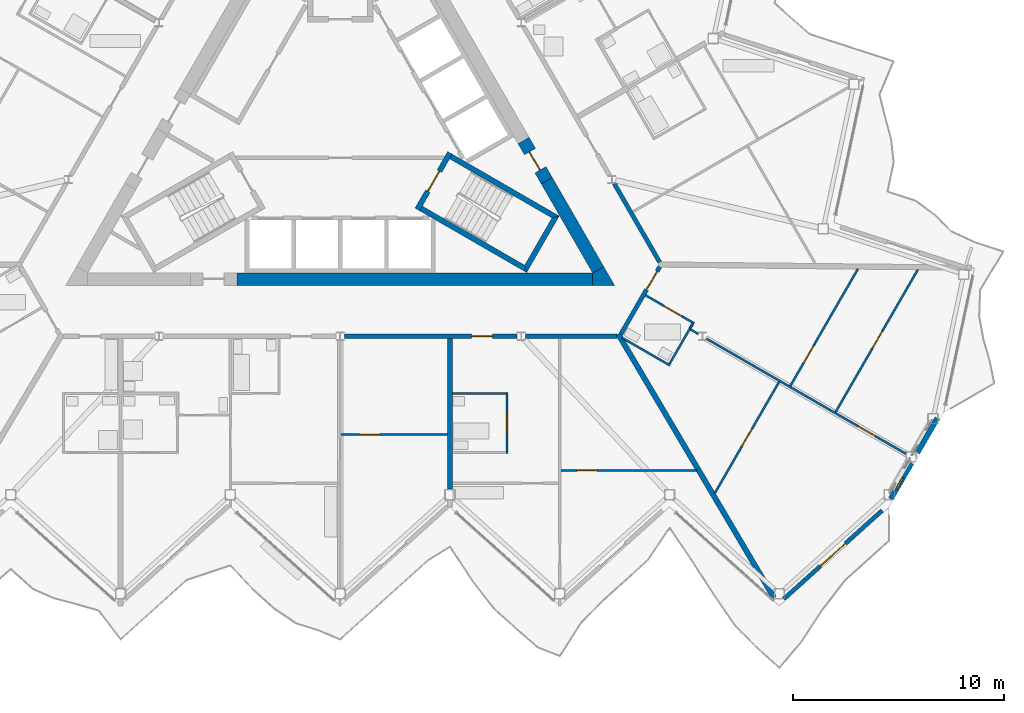
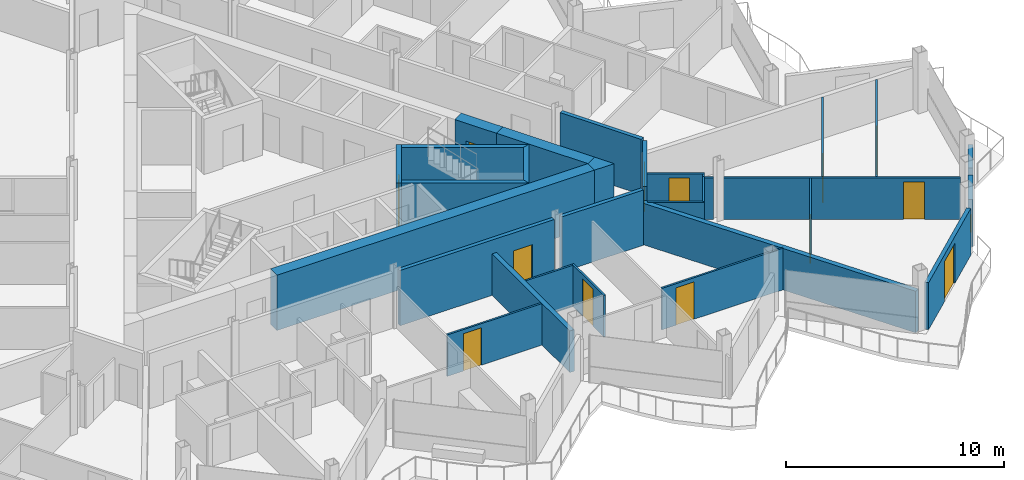
# One storey, part 15 of 26: 30 walls, 13 doors, 1 window, 14 openings.
"""IFC4 building model written with IfcOpenShell, lengths in metres."""

from ifc_helpers import new_model, si_unit, direction, frame, frame_2d, origin, place, context, subcontext, project, spatial, polyline, rectangle, outline, extrude, material, layer, layer_set, type_object, element, fill, save


model = new_model("IFC4")

# Units and contexts
model_context = context("Model", 3, precision=1e-05, world=origin(), true_north=direction((0.0, 1.0)))
body_context = subcontext(model_context, "Body", "Model", "MODEL_VIEW")
ifc_project = project(units=[si_unit("LENGTHUNIT", "METRE"), si_unit("AREAUNIT", "SQUARE_METRE"), si_unit("VOLUMEUNIT", "CUBIC_METRE"), si_unit("PLANEANGLEUNIT", "RADIAN"), si_unit("MASSUNIT", "GRAM", prefix="KILO")], contexts=[model_context])

# Site, building, storey
site_placement = place(None, origin())
site = spatial("IfcSite", under=ifc_project, at=site_placement, CompositionType="ELEMENT")
building_placement = place(site_placement, origin())
building = spatial("IfcBuilding", under=site, at=building_placement, Name="Cormorant Prow Tower", CompositionType="ELEMENT")
storey_placement = place(building_placement, frame((0.0, 0.0, 371.199951171875)))
storey = spatial("IfcBuildingStorey", under=building, at=storey_placement, Name="L83", CompositionType="ELEMENT", Elevation=371.199951171875)

# Walls
ifc_material_1 = material(Name="Concrete 8000 psi", Category="concrete")
ifc_layer_1 = layer(ifc_material_1, 0.60009765625)
ifc_layer_set_1 = layer_set([ifc_layer_1], Name="Concrete 8000 psi")
wall_type_1 = type_object("IfcWallType", Name="Core shear wall 600", PredefinedType="SHEAR", material=ifc_layer_set_1)
wall_1_placement = place(storey_placement, frame((-4.89208984375, -7.20556640625, 0.0), z_axis=(0.0, 0.0, 1.0), x_axis=(1.0, 0.0, 0.0)))
element("IfcWall", 1, at=wall_1_placement, inside=storey, type_object=wall_type_1, Name="Core wall", PredefinedType="SHEAR", context=body_context, shape_type="SweptSolid", body=[
    extrude(rectangle(XDim=16.852783203125, YDim=0.60009765625, at=frame_2d((8.42626953125, 0.0))), origin(), (0.0, 0.0, 1.0), 3.10009765625),
])
wall_2_placement = place(storey_placement, frame((12.220703125, -6.755615234375, 0.0), z_axis=(0.0, 0.0, 1.0), x_axis=(-0.50000604952, 0.866021911064, 0.0)))
element("IfcWall", 2, at=wall_2_placement, inside=storey, type_object=wall_type_1, Name="Core wall", PredefinedType="SHEAR", context=body_context, shape_type="SweptSolid", body=[
    extrude(rectangle(XDim=4.86865234375, YDim=0.60009765625, at=frame_2d((2.434326171875, 0.0))), origin(), (0.0, 0.0, 1.0), 3.10009765625),
])
wall_3_placement = place(storey_placement, origin())
element("IfcWall", 3, at=wall_3_placement, inside=storey, type_object=wall_type_1, Name="Core wall corner", PredefinedType="SHEAR", context=body_context, shape_type="SweptSolid", body=[
    extrude(outline(polyline([(11.960693359375, -7.505615234375), (11.960693359375, -6.905517578125), (12.48046875, -6.605712890625), (13.0, -7.505615234375), (11.960693359375, -7.505615234375)])), origin(), (0.0, 0.0, 1.0), 3.10009765625),
])

# Wall, opening, door
wall_4_placement = place(storey_placement, frame((9.786376953125, -2.539306640625, 0.0), z_axis=(0.0, 0.0, 1.0), x_axis=(-0.499981787252, 0.866035918664, 0.0)))
wall_4 = element("IfcWall", 4, at=wall_4_placement, inside=storey, type_object=wall_type_1, Name="Core wall door panel", PredefinedType="SHEAR", context=body_context, shape_type="SweptSolid", body=[
    extrude(rectangle(XDim=2.2001953125, YDim=0.60009765625, at=frame_2d((1.10009765625, 0.0))), origin(), (0.0, 0.0, 1.0), 3.10009765625),
])
opening_1_placement = place(wall_4_placement, frame((0.60009765625, 0.0, 0.0)))
opening_1 = element("IfcOpeningElement", 5, at=opening_1_placement, cuts=wall_4, Name="Opening L83-C15", PredefinedType="OPENING", context=body_context, shape_type="SweptSolid", body=[
    extrude(rectangle(XDim=1.0, YDim=2.10009765625, at=frame_2d((0.5, 1.050048828125))), frame((0.0, 0.31005859375, 0.0), z_axis=(0.0, -1.0, 0.0), x_axis=(1.0, 0.0, 0.0)), (0.0, 0.0, 1.0), 0.6201171875),
])
ifc_material_2 = material(Name="Painted steel", Category="steel")
door_type_1 = type_object("IfcDoorType", Name="Service door 1000x2100", OperationType="NOTDEFINED", PredefinedType="DOOR", material=ifc_material_2)
door_1_placement = place(opening_1_placement, origin())
door_1 = element("IfcDoor", 6, at=door_1_placement, inside=storey, type_object=door_type_1, Name="Core door, Electrical room", OperationType="SINGLE_SWING_LEFT", OverallHeight=2.10009765625, OverallWidth=1.0, PredefinedType="DOOR", context=body_context, shape_type="SweptSolid", body=[
    extrude(rectangle(XDim=1.0, YDim=2.10009765625, at=frame_2d((0.5, 1.050048828125))), frame((0.0, 0.05517578125, 0.0), z_axis=(0.0, -1.0, 0.0), x_axis=(1.0, 0.0, 0.0)), (0.0, 0.0, 1.0), 0.050048828125),
])
fill(opening_1, door_1)

ifc_material_3 = material(Name="Gypsum board corridor wall")
ifc_layer_2 = layer(ifc_material_3, 0.199951171875)
ifc_layer_set_2 = layer_set([ifc_layer_2], Name="Gypsum board corridor wall")
wall_type_2 = type_object("IfcWallType", Name="Corridor wall 200", PredefinedType="PARTITIONING", material=ifc_layer_set_2)
wall_5_placement = place(storey_placement, frame((0.197021484375, -9.905517578125, 0.0), z_axis=(0.0, 0.0, 1.0), x_axis=(1.0, 0.0, 0.0)))
wall_5 = element("IfcWall", 7, at=wall_5_placement, inside=storey, type_object=wall_type_2, Name="Corridor wall", PredefinedType="PARTITIONING", context=body_context, shape_type="SweptSolid", body=[
    extrude(rectangle(XDim=8.1845703125, YDim=0.199951171875, at=frame_2d((4.09228515625, 0.0))), origin(), (0.0, 0.0, 1.0), 3.10009765625),
])
opening_2_placement = place(wall_5_placement, frame((6.02294921875, 0.0, 0.0)))
opening_2 = element("IfcOpeningElement", 8, at=opening_2_placement, cuts=wall_5, Name="Opening L83-F11", PredefinedType="OPENING", context=body_context, shape_type="SweptSolid", body=[
    extrude(rectangle(XDim=1.0, YDim=2.10009765625, at=frame_2d((0.5, 1.050048828125))), frame((0.0, 0.10986328125, 0.0), z_axis=(0.0, -1.0, 0.0), x_axis=(1.0, 0.0, 0.0)), (0.0, 0.0, 1.0), 0.219970703125),
])
ifc_material_4 = material(Name="Timber door leaf", Category="wood")
door_type_2 = type_object("IfcDoorType", Name="Flat or room entrance door 1000x2100", OperationType="NOTDEFINED", PredefinedType="DOOR", material=ifc_material_4)
door_2_placement = place(opening_2_placement, origin())
door_2 = element("IfcDoor", 9, at=door_2_placement, inside=storey, type_object=door_type_2, Name="Living room door", OperationType="SINGLE_SWING_LEFT", OverallHeight=2.10009765625, OverallWidth=1.0, PredefinedType="DOOR", context=body_context, shape_type="SweptSolid", body=[
    extrude(rectangle(XDim=1.0, YDim=2.10009765625, at=frame_2d((0.5, 1.050048828125))), frame((0.0, 0.02490234375, 0.0), z_axis=(0.0, -1.0, 0.0), x_axis=(1.0, 0.0, 0.0)), (0.0, 0.0, 1.0), 0.050048828125),
])
fill(opening_2, door_2)

# Walls
wall_6_placement = place(storey_placement, frame((8.775390625, -9.905517578125, 0.0), z_axis=(0.0, 0.0, 1.0), x_axis=(1.0, 0.0, 0.0)))
element("IfcWall", 10, at=wall_6_placement, inside=storey, type_object=wall_type_2, Name="Corridor wall", PredefinedType="PARTITIONING", context=body_context, shape_type="SweptSolid", body=[
    extrude(rectangle(XDim=4.33056640625, YDim=0.199951171875, at=frame_2d((2.165283203125, 0.0))), origin(), (0.0, 0.0, 1.0), 3.10009765625),
])
wall_7_placement = place(storey_placement, frame((12.9814453125, -2.67333984375, 0.0), z_axis=(0.0, 0.0, 1.0), x_axis=(0.499986217557, -0.866033360935, 0.0)))
element("IfcWall", 11, at=wall_7_placement, inside=storey, type_object=wall_type_2, Name="Corridor wall", PredefinedType="PARTITIONING", context=body_context, shape_type="SweptSolid", body=[
    extrude(rectangle(XDim=4.2998046875, YDim=0.199951171875, at=frame_2d((2.14990234375, 0.0))), origin(), (0.0, 0.0, 1.0), 3.10009765625),
])

# Wall, opening, door
wall_8_placement = place(storey_placement, frame((13.29345703125, -9.79736328125, 0.0), z_axis=(0.0, 0.0, 1.0), x_axis=(0.499967746641, 0.866044024469, 0.0)))
wall_8 = element("IfcWall", 12, at=wall_8_placement, inside=storey, type_object=wall_type_2, Name="Corridor wall", PredefinedType="PARTITIONING", context=body_context, shape_type="SweptSolid", body=[
    extrude(rectangle(XDim=3.676025390625, YDim=0.199951171875, at=frame_2d((1.837890625, 0.0))), origin(), (0.0, 0.0, 1.0), 3.10009765625),
])
opening_3_placement = place(wall_8_placement, frame((2.426025390625, 0.0, 0.0)))
opening_3 = element("IfcOpeningElement", 13, at=opening_3_placement, cuts=wall_8, Name="Opening L83-F16", PredefinedType="OPENING", context=body_context, shape_type="SweptSolid", body=[
    extrude(rectangle(XDim=1.0, YDim=2.10009765625, at=frame_2d((0.5, 1.050048828125))), frame((0.0, 0.10986328125, 0.0), z_axis=(0.0, -1.0, 0.0), x_axis=(1.0, 0.0, 0.0)), (0.0, 0.0, 1.0), 0.219970703125),
])
door_3_placement = place(opening_3_placement, origin())
door_3 = element("IfcDoor", 14, at=door_3_placement, inside=storey, type_object=door_type_2, Name="Living room door", OperationType="SINGLE_SWING_RIGHT", OverallHeight=2.10009765625, OverallWidth=1.0, PredefinedType="DOOR", context=body_context, shape_type="SweptSolid", body=[
    extrude(rectangle(XDim=1.0, YDim=2.10009765625, at=frame_2d((0.5, 1.050048828125))), frame((0.0, 0.02490234375, 0.0), z_axis=(0.0, -1.0, 0.0), x_axis=(1.0, 0.0, 0.0)), (0.0, 0.0, 1.0), 0.050048828125),
])
fill(opening_3, door_3)

ifc_material_5 = material(Name="Gypsum board partition")
ifc_layer_3 = layer(ifc_material_5, 0.10009765625)
ifc_layer_set_3 = layer_set([ifc_layer_3], Name="Gypsum board partition")
wall_type_3 = type_object("IfcWallType", Name="Internal partition 100", PredefinedType="PARTITIONING", material=ifc_layer_set_3)
wall_9_placement = place(storey_placement, frame((17.35400390625, -10.019287109375, 0.0), z_axis=(0.0, 0.0, 1.0), x_axis=(0.866019680922, -0.500009912158, 0.0)))
wall_9 = element("IfcWall", 15, at=wall_9_placement, inside=storey, type_object=wall_type_3, Name="Internal partition", PredefinedType="PARTITIONING", context=body_context, shape_type="SweptSolid", body=[
    extrude(rectangle(XDim=10.880615234375, YDim=0.10009765625, at=frame_2d((5.4404296875, 0.0))), origin(), (0.0, 0.0, 1.0), 2.330078125),
])
opening_4_placement = place(wall_9_placement, frame((8.276123046875, 0.0, 0.0)))
opening_4 = element("IfcOpeningElement", 16, at=opening_4_placement, cuts=wall_9, Name="Opening L83-F20", PredefinedType="OPENING", context=body_context, shape_type="SweptSolid", body=[
    extrude(rectangle(XDim=0.949951171875, YDim=2.10009765625, at=frame_2d((0.47509765625, 1.050048828125))), frame((0.0, 0.06005859375, 0.0), z_axis=(0.0, -1.0, 0.0), x_axis=(1.0, 0.0, 0.0)), (0.0, 0.0, 1.0), 0.1201171875),
])
ifc_material_6 = material(Name="Timber door leaf", Category="wood")
door_type_3 = type_object("IfcDoorType", Name="Bathroom door 950x2100", OperationType="NOTDEFINED", PredefinedType="DOOR", material=ifc_material_6)
door_4_placement = place(opening_4_placement, origin())
door_4 = element("IfcDoor", 17, at=door_4_placement, inside=storey, type_object=door_type_3, Name="Dining room door", OperationType="SINGLE_SWING_RIGHT", OverallHeight=2.10009765625, OverallWidth=0.949951171875, PredefinedType="DOOR", context=body_context, shape_type="SweptSolid", body=[
    extrude(rectangle(XDim=0.949951171875, YDim=2.10009765625, at=frame_2d((0.47509765625, 1.050048828125))), frame((0.0, 0.02490234375, 0.0), z_axis=(0.0, -1.0, 0.0), x_axis=(1.0, 0.0, 0.0)), (0.0, 0.0, 1.0), 0.050048828125),
])
fill(opening_4, door_4)

wall_10_placement = place(storey_placement, frame((23.462646484375, -13.48828125, 0.0), z_axis=(0.0, 0.0, 1.0), x_axis=(0.500012519194, 0.866018175704, 0.0)))
wall_10 = element("IfcWall", 18, at=wall_10_placement, inside=storey, type_object=wall_type_3, Name="Internal partition", PredefinedType="PARTITIONING", context=body_context, shape_type="SweptSolid", body=[
    extrude(rectangle(XDim=7.795654296875, YDim=0.10009765625, at=frame_2d((3.89794921875, 0.0))), origin(), (0.0, 0.0, 1.0), 2.330078125),
])
opening_5_placement = place(wall_10_placement, frame((3.47314453125, 0.0, 0.0)))
opening_5 = element("IfcOpeningElement", 19, at=opening_5_placement, cuts=wall_10, Name="Opening L83-F19", PredefinedType="OPENING", context=body_context, shape_type="SweptSolid", body=[
    extrude(rectangle(XDim=0.949951171875, YDim=2.10009765625, at=frame_2d((0.47509765625, 1.050048828125))), frame((0.0, 0.06005859375, 0.0), z_axis=(0.0, -1.0, 0.0), x_axis=(1.0, 0.0, 0.0)), (0.0, 0.0, 1.0), 0.1201171875),
])
door_5_placement = place(opening_5_placement, origin())
door_5 = element("IfcDoor", 20, at=door_5_placement, inside=storey, type_object=door_type_3, Name="Kitchen door", OperationType="SINGLE_SWING_LEFT", OverallHeight=2.10009765625, OverallWidth=0.949951171875, PredefinedType="DOOR", context=body_context, shape_type="SweptSolid", body=[
    extrude(rectangle(XDim=0.949951171875, YDim=2.10009765625, at=frame_2d((0.47509765625, 1.050048828125))), frame((0.0, 0.02490234375, 0.0), z_axis=(0.0, -1.0, 0.0), x_axis=(1.0, 0.0, 0.0)), (0.0, 0.0, 1.0), 0.050048828125),
])
fill(opening_5, door_5)

wall_11_placement = place(storey_placement, frame((21.3193359375, -12.2509765625, 0.0), z_axis=(0.0, 0.0, 1.0), x_axis=(0.499999833739, 0.866025499775, 0.0)))
wall_11 = element("IfcWall", 21, at=wall_11_placement, inside=storey, type_object=wall_type_3, Name="Internal partition", PredefinedType="PARTITIONING", context=body_context, shape_type="SweptSolid", body=[
    extrude(rectangle(XDim=6.39990234375, YDim=0.10009765625, at=frame_2d((3.199951171875, 0.0))), origin(), (0.0, 0.0, 1.0), 2.330078125),
])
opening_6_placement = place(wall_11_placement, frame((1.26025390625, 0.0, 0.0)))
opening_6 = element("IfcOpeningElement", 22, at=opening_6_placement, cuts=wall_11, Name="Opening L83-F18", PredefinedType="OPENING", context=body_context, shape_type="SweptSolid", body=[
    extrude(rectangle(XDim=0.949951171875, YDim=2.10009765625, at=frame_2d((0.47509765625, 1.050048828125))), frame((0.0, 0.06005859375, 0.0), z_axis=(0.0, -1.0, 0.0), x_axis=(1.0, 0.0, 0.0)), (0.0, 0.0, 1.0), 0.1201171875),
])
door_6_placement = place(opening_6_placement, origin())
door_6 = element("IfcDoor", 23, at=door_6_placement, inside=storey, type_object=door_type_3, Name="Living room door", OperationType="SINGLE_SWING_LEFT", OverallHeight=2.10009765625, OverallWidth=0.949951171875, PredefinedType="DOOR", context=body_context, shape_type="SweptSolid", body=[
    extrude(rectangle(XDim=0.949951171875, YDim=2.10009765625, at=frame_2d((0.47509765625, 1.050048828125))), frame((0.0, 0.02490234375, 0.0), z_axis=(0.0, -1.0, 0.0), x_axis=(1.0, 0.0, 0.0)), (0.0, 0.0, 1.0), 0.050048828125),
])
fill(opening_6, door_6)

wall_12_placement = place(storey_placement, frame((10.449951171875, -16.254638671875, 0.0), z_axis=(0.0, 0.0, 1.0), x_axis=(1.0, 0.0, 0.0)))
wall_12 = element("IfcWall", 24, at=wall_12_placement, inside=storey, type_object=wall_type_3, Name="Internal partition", PredefinedType="PARTITIONING", context=body_context, shape_type="SweptSolid", body=[
    extrude(rectangle(XDim=6.446533203125, YDim=0.10009765625, at=frame_2d((3.22314453125, 0.0))), origin(), (0.0, 0.0, 1.0), 2.330078125),
])
opening_7_placement = place(wall_12_placement, frame((0.759765625, 0.0, 0.0)))
opening_7 = element("IfcOpeningElement", 25, at=opening_7_placement, cuts=wall_12, Name="Opening L83-F15", PredefinedType="OPENING", context=body_context, shape_type="SweptSolid", body=[
    extrude(rectangle(XDim=0.949951171875, YDim=2.10009765625, at=frame_2d((0.47509765625, 1.050048828125))), frame((0.0, 0.06005859375, 0.0), z_axis=(0.0, -1.0, 0.0), x_axis=(1.0, 0.0, 0.0)), (0.0, 0.0, 1.0), 0.1201171875),
])
door_7_placement = place(opening_7_placement, origin())
door_7 = element("IfcDoor", 26, at=door_7_placement, inside=storey, type_object=door_type_3, Name="Bedroom door", OperationType="SINGLE_SWING_LEFT", OverallHeight=2.10009765625, OverallWidth=0.949951171875, PredefinedType="DOOR", context=body_context, shape_type="SweptSolid", body=[
    extrude(rectangle(XDim=0.949951171875, YDim=2.10009765625, at=frame_2d((0.47509765625, 1.050048828125))), frame((0.0, 0.02490234375, 0.0), z_axis=(0.0, -1.0, 0.0), x_axis=(1.0, 0.0, 0.0)), (0.0, 0.0, 1.0), 0.050048828125),
])
fill(opening_7, door_7)

wall_13_placement = place(storey_placement, frame((17.743896484375, -17.329345703125, 0.0), z_axis=(0.0, 0.0, 1.0), x_axis=(0.49997479812, 0.866039953608, 0.0)))
wall_13 = element("IfcWall", 27, at=wall_13_placement, inside=storey, type_object=wall_type_3, Name="Internal partition", PredefinedType="PARTITIONING", context=body_context, shape_type="SweptSolid", body=[
    extrude(rectangle(XDim=6.085693359375, YDim=0.10009765625, at=frame_2d((3.04296875, 0.0))), origin(), (0.0, 0.0, 1.0), 2.330078125),
])
opening_8_placement = place(wall_13_placement, frame((2.56787109375, 0.0, 0.0)))
opening_8 = element("IfcOpeningElement", 28, at=opening_8_placement, cuts=wall_13, Name="Opening L83-F21", PredefinedType="OPENING", context=body_context, shape_type="SweptSolid", body=[
    extrude(rectangle(XDim=0.949951171875, YDim=2.10009765625, at=frame_2d((0.47509765625, 1.050048828125))), frame((0.0, 0.06005859375, 0.0), z_axis=(0.0, -1.0, 0.0), x_axis=(1.0, 0.0, 0.0)), (0.0, 0.0, 1.0), 0.1201171875),
])
door_8_placement = place(opening_8_placement, origin())
door_8 = element("IfcDoor", 29, at=door_8_placement, inside=storey, type_object=door_type_3, Name="Principal bedroom door", OperationType="SINGLE_SWING_RIGHT", OverallHeight=2.10009765625, OverallWidth=0.949951171875, PredefinedType="DOOR", context=body_context, shape_type="SweptSolid", body=[
    extrude(rectangle(XDim=0.949951171875, YDim=2.10009765625, at=frame_2d((0.47509765625, 1.050048828125))), frame((0.0, 0.02490234375, 0.0), z_axis=(0.0, -1.0, 0.0), x_axis=(1.0, 0.0, 0.0)), (0.0, 0.0, 1.0), 0.050048828125),
])
fill(opening_8, door_8)

wall_14_placement = place(storey_placement, frame((0.050048828125, -14.555419921875, 0.0), z_axis=(0.0, 0.0, 1.0), x_axis=(1.0, 0.0, 0.0)))
wall_14 = element("IfcWall", 30, at=wall_14_placement, inside=storey, type_object=wall_type_3, Name="Internal partition", PredefinedType="PARTITIONING", context=body_context, shape_type="SweptSolid", body=[
    extrude(rectangle(XDim=5.02490234375, YDim=0.10009765625, at=frame_2d((2.512451171875, 0.0))), origin(), (0.0, 0.0, 1.0), 2.330078125),
])
opening_9_placement = place(wall_14_placement, frame((0.86279296875, 0.0, 0.0)))
opening_9 = element("IfcOpeningElement", 31, at=opening_9_placement, cuts=wall_14, Name="Opening L83-F09", PredefinedType="OPENING", context=body_context, shape_type="SweptSolid", body=[
    extrude(rectangle(XDim=0.949951171875, YDim=2.10009765625, at=frame_2d((0.47509765625, 1.050048828125))), frame((0.0, 0.06005859375, 0.0), z_axis=(0.0, -1.0, 0.0), x_axis=(1.0, 0.0, 0.0)), (0.0, 0.0, 1.0), 0.1201171875),
])
door_9_placement = place(opening_9_placement, origin())
door_9 = element("IfcDoor", 32, at=door_9_placement, inside=storey, type_object=door_type_3, Name="Bedroom door", OperationType="SINGLE_SWING_LEFT", OverallHeight=2.10009765625, OverallWidth=0.949951171875, PredefinedType="DOOR", context=body_context, shape_type="SweptSolid", body=[
    extrude(rectangle(XDim=0.949951171875, YDim=2.10009765625, at=frame_2d((0.47509765625, 1.050048828125))), frame((0.0, 0.02490234375, 0.0), z_axis=(0.0, -1.0, 0.0), x_axis=(1.0, 0.0, 0.0)), (0.0, 0.0, 1.0), 0.050048828125),
])
fill(opening_9, door_9)

wall_15_placement = place(storey_placement, frame((7.89990234375, -15.45556640625, 0.0), z_axis=(0.0, 0.0, 1.0), x_axis=(0.0, 1.0, 0.0)))
wall_15 = element("IfcWall", 33, at=wall_15_placement, inside=storey, type_object=wall_type_3, Name="Internal partition", PredefinedType="PARTITIONING", context=body_context, shape_type="SweptSolid", body=[
    extrude(rectangle(XDim=2.89990234375, YDim=0.10009765625, at=frame_2d((1.449951171875, 0.0))), origin(), (0.0, 0.0, 1.0), 2.330078125),
])
opening_10_placement = place(wall_15_placement, frame((0.97509765625, 0.0, 0.0)))
opening_10 = element("IfcOpeningElement", 34, at=opening_10_placement, cuts=wall_15, Name="Opening L83-F12", PredefinedType="OPENING", context=body_context, shape_type="SweptSolid", body=[
    extrude(rectangle(XDim=0.949951171875, YDim=2.10009765625, at=frame_2d((0.47509765625, 1.050048828125))), frame((0.0, 0.06005859375, 0.0), z_axis=(0.0, -1.0, 0.0), x_axis=(1.0, 0.0, 0.0)), (0.0, 0.0, 1.0), 0.1201171875),
])
door_10_placement = place(opening_10_placement, origin())
door_10 = element("IfcDoor", 35, at=door_10_placement, inside=storey, type_object=door_type_3, Name="Living room door", OperationType="SINGLE_SWING_LEFT", OverallHeight=2.10009765625, OverallWidth=0.949951171875, PredefinedType="DOOR", context=body_context, shape_type="SweptSolid", body=[
    extrude(rectangle(XDim=0.949951171875, YDim=2.10009765625, at=frame_2d((0.47509765625, 1.050048828125))), frame((0.0, 0.02490234375, 0.0), z_axis=(0.0, -1.0, 0.0), x_axis=(1.0, 0.0, 0.0)), (0.0, 0.0, 1.0), 0.050048828125),
])
fill(opening_10, door_10)

# Walls
wall_16_placement = place(storey_placement, frame((13.339111328125, -9.968017578125, 0.0), z_axis=(0.0, 0.0, 1.0), x_axis=(0.866013657776, -0.500020344131, 0.0)))
element("IfcWall", 36, at=wall_16_placement, inside=storey, type_object=wall_type_3, Name="Internal partition", PredefinedType="PARTITIONING", context=body_context, shape_type="SweptSolid", body=[
    extrude(rectangle(XDim=2.625, YDim=0.10009765625, at=frame_2d((1.3125, 0.0))), origin(), (0.0, 0.0, 1.0), 2.330078125),
])
wall_17_placement = place(storey_placement, frame((5.324951171875, -12.605712890625, 0.0), z_axis=(0.0, 0.0, 1.0), x_axis=(1.0, 0.0, 0.0)))
element("IfcWall", 37, at=wall_17_placement, inside=storey, type_object=wall_type_3, Name="Internal partition", PredefinedType="PARTITIONING", context=body_context, shape_type="SweptSolid", body=[
    extrude(rectangle(XDim=2.525146484375, YDim=0.10009765625, at=frame_2d((1.2626953125, 0.0))), origin(), (0.0, 0.0, 1.0), 2.330078125),
])

# Wall, opening, door
wall_18_placement = place(storey_placement, frame((14.46728515625, -7.963623046875, 0.0), z_axis=(0.0, 0.0, 1.0), x_axis=(0.866062824362, -0.499935180056, 0.0)))
wall_18 = element("IfcWall", 38, at=wall_18_placement, inside=storey, type_object=wall_type_3, Name="Internal partition", PredefinedType="PARTITIONING", context=body_context, shape_type="SweptSolid", body=[
    extrude(rectangle(XDim=2.649169921875, YDim=0.10009765625, at=frame_2d((1.32470703125, 0.0))), origin(), (0.0, 0.0, 1.0), 2.330078125),
])
opening_11_placement = place(wall_18_placement, frame((1.01318359375, 0.0, 0.0)))
opening_11 = element("IfcOpeningElement", 39, at=opening_11_placement, cuts=wall_18, Name="Opening L83-F17", PredefinedType="OPENING", context=body_context, shape_type="SweptSolid", body=[
    extrude(rectangle(XDim=0.949951171875, YDim=2.10009765625, at=frame_2d((0.47509765625, 1.050048828125))), frame((0.0, 0.06005859375, 0.0), z_axis=(0.0, -1.0, 0.0), x_axis=(1.0, 0.0, 0.0)), (0.0, 0.0, 1.0), 0.1201171875),
])
door_11_placement = place(opening_11_placement, origin())
door_11 = element("IfcDoor", 40, at=door_11_placement, inside=storey, type_object=door_type_3, Name="Living room door", OperationType="SINGLE_SWING_RIGHT", OverallHeight=2.10009765625, OverallWidth=0.949951171875, PredefinedType="DOOR", context=body_context, shape_type="SweptSolid", body=[
    extrude(rectangle(XDim=0.949951171875, YDim=2.10009765625, at=frame_2d((0.47509765625, 1.050048828125))), frame((0.0, 0.02490234375, 0.0), z_axis=(0.0, -1.0, 0.0), x_axis=(1.0, 0.0, 0.0)), (0.0, 0.0, 1.0), 0.050048828125),
])
fill(opening_11, door_11)

# Walls
wall_19_placement = place(storey_placement, frame((15.593994140625, -11.21240234375, 0.0), z_axis=(0.0, 0.0, 1.0), x_axis=(0.499958068602, 0.866049611535, 0.0)))
element("IfcWall", 41, at=wall_19_placement, inside=storey, type_object=wall_type_3, Name="Internal partition", PredefinedType="PARTITIONING", context=body_context, shape_type="SweptSolid", body=[
    extrude(rectangle(XDim=1.973388671875, YDim=0.10009765625, at=frame_2d((0.98681640625, 0.0))), origin(), (0.0, 0.0, 1.0), 2.330078125),
])
wall_20_placement = place(storey_placement, frame((16.593994140625, -9.58056640625, 0.0), z_axis=(0.0, 0.0, 1.0), x_axis=(0.866137484628, -0.499805820016, 0.0)))
element("IfcWall", 42, at=wall_20_placement, inside=storey, type_object=wall_type_3, Name="Internal partition", PredefinedType="PARTITIONING", context=body_context, shape_type="SweptSolid", body=[
    extrude(rectangle(XDim=0.422607421875, YDim=0.10009765625, at=frame_2d((0.21142578125, 0.0))), origin(), (0.0, 0.0, 1.0), 2.330078125),
])
wall_21_placement = place(storey_placement, frame((16.581787109375, -9.501220703125, 0.0), z_axis=(0.0, 0.0, 1.0), x_axis=(0.49742780181, 0.86750537865, 0.0)))
element("IfcWall", 43, at=wall_21_placement, inside=storey, type_object=wall_type_3, Name="Internal partition", PredefinedType="PARTITIONING", context=body_context, shape_type="SweptSolid", body=[
    extrude(rectangle(XDim=0.224365234375, YDim=0.10009765625, at=frame_2d((0.1123046875, 0.0))), origin(), (0.0, 0.0, 1.0), 2.330078125),
])
ifc_material_7 = material(Name="Concrete 8000 psi", Category="concrete")
ifc_layer_4 = layer(ifc_material_7, 0.25)
ifc_layer_set_4 = layer_set([ifc_layer_4], Name="Concrete 8000 psi")
wall_type_4 = type_object("IfcWallType", Name="Stair wall 250", PredefinedType="SHEAR", material=ifc_layer_set_4)
wall_22_placement = place(storey_placement, origin())
element("IfcWall", 44, at=wall_22_placement, inside=storey, type_object=wall_type_4, Name="Stair ST2 enclosure wall (flank)", PredefinedType="SHEAR", context=body_context, shape_type="SweptSolid", body=[
    extrude(outline(polyline([(3.76318359375, -3.95556640625), (8.82958984375, -6.880615234375), (8.738037109375, -6.5390625), (3.88818359375, -3.739013671875), (3.76318359375, -3.95556640625)])), origin(), (0.0, 0.0, 1.0), 3.10009765625),
])
wall_23_placement = place(storey_placement, origin())
element("IfcWall", 45, at=wall_23_placement, inside=storey, type_object=wall_type_4, Name="Stair ST2 enclosure wall (end)", PredefinedType="SHEAR", context=body_context, shape_type="SweptSolid", body=[
    extrude(outline(polyline([(8.82958984375, -6.880615234375), (10.37353515625, -4.206298828125), (10.031982421875, -4.2978515625), (8.738037109375, -6.5390625), (8.82958984375, -6.880615234375)])), origin(), (0.0, 0.0, 1.0), 3.10009765625),
])
wall_24_placement = place(storey_placement, origin())
element("IfcWall", 46, at=wall_24_placement, inside=storey, type_object=wall_type_4, Name="Stair ST2 enclosure wall (flank)", PredefinedType="SHEAR", context=body_context, shape_type="SweptSolid", body=[
    extrude(outline(polyline([(10.031982421875, -4.2978515625), (10.37353515625, -4.206298828125), (5.30712890625, -1.28125), (5.18212890625, -1.497802734375), (10.031982421875, -4.2978515625)])), origin(), (0.0, 0.0, 1.0), 3.10009765625),
])

# Wall, opening, door
wall_25_placement = place(storey_placement, frame((3.655029296875, -3.89306640625, 0.0), z_axis=(0.0, 0.0, 1.0), x_axis=(0.499982516597, 0.866035497597, 0.0)))
wall_25 = element("IfcWall", 47, at=wall_25_placement, inside=storey, type_object=wall_type_4, Name="Stair ST2 door wall", PredefinedType="SHEAR", context=body_context, shape_type="SweptSolid", body=[
    extrude(rectangle(XDim=3.087890625, YDim=0.25, at=frame_2d((1.5439453125, 0.0))), origin(), (0.0, 0.0, 1.0), 3.10009765625),
])
opening_12_placement = place(wall_25_placement, frame((0.993896484375, 0.0, 0.0)))
opening_12 = element("IfcOpeningElement", 48, at=opening_12_placement, cuts=wall_25, Name="Opening L83-C12", PredefinedType="OPENING", context=body_context, shape_type="SweptSolid", body=[
    extrude(rectangle(XDim=1.10009765625, YDim=2.10009765625, at=frame_2d((0.550048828125, 1.050048828125))), frame((0.0, 0.135009765625, 0.0), z_axis=(0.0, -1.0, 0.0), x_axis=(1.0, 0.0, 0.0)), (0.0, 0.0, 1.0), 0.27001953125),
])
ifc_material_8 = material(Name="Painted steel", Category="steel")
door_type_4 = type_object("IfcDoorType", Name="Stair door 1100x2100", OperationType="NOTDEFINED", PredefinedType="DOOR", material=ifc_material_8)
door_12_placement = place(opening_12_placement, origin())
door_12 = element("IfcDoor", 49, at=door_12_placement, inside=storey, type_object=door_type_4, Name="Stair ST2 door", OperationType="SINGLE_SWING_RIGHT", OverallHeight=2.10009765625, OverallWidth=1.10009765625, PredefinedType="DOOR", context=body_context, shape_type="SweptSolid", body=[
    extrude(rectangle(XDim=1.10009765625, YDim=2.10009765625, at=frame_2d((0.550048828125, 1.050048828125))), frame((0.0, 0.02490234375, 0.0), z_axis=(0.0, -1.0, 0.0), x_axis=(1.0, 0.0, 0.0)), (0.0, 0.0, 1.0), 0.050048828125),
])
fill(opening_12, door_12)

# Walls
ifc_material_9 = material(Name="Acoustic gypsum party wall")
ifc_layer_5 = layer(ifc_material_9, 0.25)
ifc_layer_set_5 = layer_set([ifc_layer_5], Name="Acoustic gypsum party wall")
wall_type_5 = type_object("IfcWallType", Name="Suite party wall 250", PredefinedType="PARTITIONING", material=ifc_layer_set_5)
wall_26_placement = place(storey_placement, frame((13.167236328125, -9.7978515625, 0.0), z_axis=(0.0, 0.0, 1.0), x_axis=(0.508707178493, -0.860939606796, 0.0)))
element("IfcWall", 50, at=wall_26_placement, inside=storey, type_object=wall_type_5, Name="Suite party wall", PredefinedType="PARTITIONING", context=body_context, shape_type="SweptSolid", body=[
    extrude(rectangle(XDim=14.4931640625, YDim=0.25, at=frame_2d((7.24658203125, 0.0))), origin(), (0.0, 0.0, 1.0), 2.330078125),
])
wall_27_placement = place(storey_placement, frame((5.199951171875, -17.145751953125, 0.0), z_axis=(0.0, 0.0, 1.0), x_axis=(0.0, 1.0, 0.0)))
element("IfcWall", 51, at=wall_27_placement, inside=storey, type_object=wall_type_5, Name="Suite party wall", PredefinedType="PARTITIONING", context=body_context, shape_type="SweptSolid", body=[
    extrude(rectangle(XDim=7.14013671875, YDim=0.25, at=frame_2d((3.570068359375, 0.0))), origin(), (0.0, 0.0, 1.0), 2.330078125),
])

# Wall, opening, window
ifc_material_10 = material(Name="Terracotta", Category="masonry")
ifc_layer_6 = layer(ifc_material_10, 0.25)
ifc_layer_set_6 = layer_set([ifc_layer_6], Name="Terracotta")
wall_type_6 = type_object("IfcWallType", Name="Terracotta bay wall 250", PredefinedType="SOLIDWALL", material=ifc_layer_set_6)
wall_28_placement = place(storey_placement, frame((26.07470703125, -17.60400390625, 0.0), z_axis=(0.0, 0.0, 1.0), x_axis=(0.500017700655, 0.866015184065, 0.0)))
wall_28 = element("IfcWall", 52, at=wall_28_placement, inside=storey, type_object=wall_type_6, Name="Terracotta bay wall ESE00", PredefinedType="SOLIDWALL", context=body_context, shape_type="SweptSolid", body=[
    extrude(rectangle(XDim=1.95654296875, YDim=0.25, at=frame_2d((0.978271484375, 0.0))), origin(), (0.0, 0.0, 1.0), 2.634033203125),
])
opening_13_placement = place(wall_28_placement, frame((0.550048828125, 0.0, 0.39990234375)))
opening_13 = element("IfcOpeningElement", 53, at=opening_13_placement, cuts=wall_28, Name="Opening WN10", PredefinedType="OPENING", context=body_context, shape_type="SweptSolid", body=[
    extrude(rectangle(XDim=0.60009765625, YDim=0.60009765625, at=frame_2d((0.300048828125, 0.300048828125))), frame((0.0, 0.135009765625, 0.0), z_axis=(0.0, -1.0, 0.0), x_axis=(1.0, 0.0, 0.0)), (0.0, 0.0, 1.0), 0.27001953125),
])
ifc_material_11 = material(Name="Aluminium 6063-T6", Category="aluminium")
window_type = type_object("IfcWindowType", Name="Corner bay window 600x600", PartitioningType="SINGLE_PANEL", PredefinedType="WINDOW", material=ifc_material_11)
window_placement = place(opening_13_placement, origin())
window = element("IfcWindow", 54, at=window_placement, inside=storey, type_object=window_type, Name="Corner bay window ESE00", OverallHeight=0.60009765625, OverallWidth=0.60009765625, PartitioningType="SINGLE_PANEL", PredefinedType="WINDOW", context=body_context, shape_type="SweptSolid", body=[
    extrude(rectangle(XDim=0.60009765625, YDim=0.60009765625, at=frame_2d((0.300048828125, 0.300048828125))), frame((0.0, 0.030029296875, 0.0), z_axis=(0.0, -1.0, 0.0), x_axis=(1.0, 0.0, 0.0)), (0.0, 0.0, 1.0), 0.06005859375),
])
fill(opening_13, window)

# Wall
wall_29_placement = place(storey_placement, frame((27.341552734375, -15.40966796875, 0.0), z_axis=(0.0, 0.0, 1.0), x_axis=(0.500044242988, 0.865999858577, 0.0)))
element("IfcWall", 55, at=wall_29_placement, inside=storey, type_object=wall_type_6, Name="Terracotta bay wall ESE01", PredefinedType="SOLIDWALL", context=body_context, shape_type="SweptSolid", body=[
    extrude(rectangle(XDim=1.882568359375, YDim=0.25, at=frame_2d((0.94140625, 0.0))), origin(), (0.0, 0.0, 1.0), 2.634033203125),
])

# Wall, opening, door
ifc_material_12 = material(Name="Terracotta", Category="masonry")
ifc_layer_7 = layer(ifc_material_12, 0.199951171875)
ifc_layer_set_7 = layer_set([ifc_layer_7], Name="Terracotta")
wall_type_7 = type_object("IfcWallType", Name="Terracotta jamb wall 200", PredefinedType="SOLIDWALL", material=ifc_layer_set_7)
wall_30_placement = place(storey_placement, frame((21.005126953125, -22.346435546875, 0.0), z_axis=(0.0, 0.0, 1.0), x_axis=(0.743137181878, 0.669139095339, 0.0)))
wall_30 = element("IfcWall", 56, at=wall_30_placement, inside=storey, type_object=wall_type_7, Name="Terracotta jamb wall S09", PredefinedType="SOLIDWALL", context=body_context, shape_type="SweptSolid", body=[
    extrude(rectangle(XDim=6.265380859375, YDim=0.199951171875, at=frame_2d((3.1328125, 0.0))), origin(), (0.0, 0.0, 1.0), 2.634033203125),
])
opening_14_placement = place(wall_30_placement, frame((2.332763671875, 0.0, 0.0)))
opening_14 = element("IfcOpeningElement", 57, at=opening_14_placement, cuts=wall_30, Name="Opening ED83.05", PredefinedType="OPENING", context=body_context, shape_type="SweptSolid", body=[
    extrude(rectangle(XDim=1.60009765625, YDim=2.25, at=frame_2d((0.800048828125, 1.125))), frame((0.0, 0.10986328125, 0.0), z_axis=(0.0, -1.0, 0.0), x_axis=(1.0, 0.0, 0.0)), (0.0, 0.0, 1.0), 0.219970703125),
])
ifc_material_13 = material(Name="Aluminium 6063-T6", Category="aluminium")
door_type_5 = type_object("IfcDoorType", Name="Balcony door 1600x2250", OperationType="DOUBLE_DOOR_SINGLE_SWING", PredefinedType="DOOR", material=ifc_material_13)
door_13_placement = place(opening_14_placement, origin())
door_13 = element("IfcDoor", 58, at=door_13_placement, inside=storey, type_object=door_type_5, Name="Balcony door S09 ED83.05", OperationType="DOUBLE_DOOR_SINGLE_SWING", OverallHeight=2.25, OverallWidth=1.60009765625, PredefinedType="DOOR", context=body_context, shape_type="SweptSolid", body=[
    extrude(rectangle(XDim=1.60009765625, YDim=2.25, at=frame_2d((0.800048828125, 1.125))), frame((0.0, 0.02490234375, 0.0), z_axis=(0.0, -1.0, 0.0), x_axis=(1.0, 0.0, 0.0)), (0.0, 0.0, 1.0), 0.050048828125),
])
fill(opening_14, door_13)

save(model, "model.ifc")
